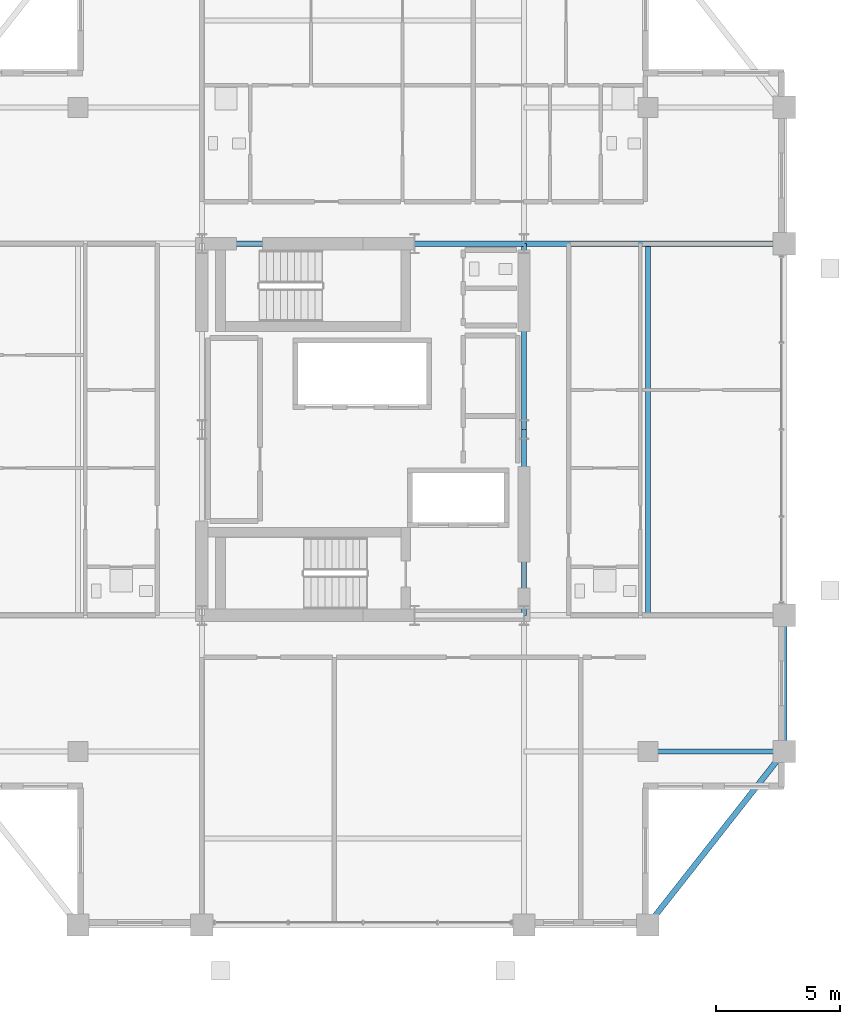
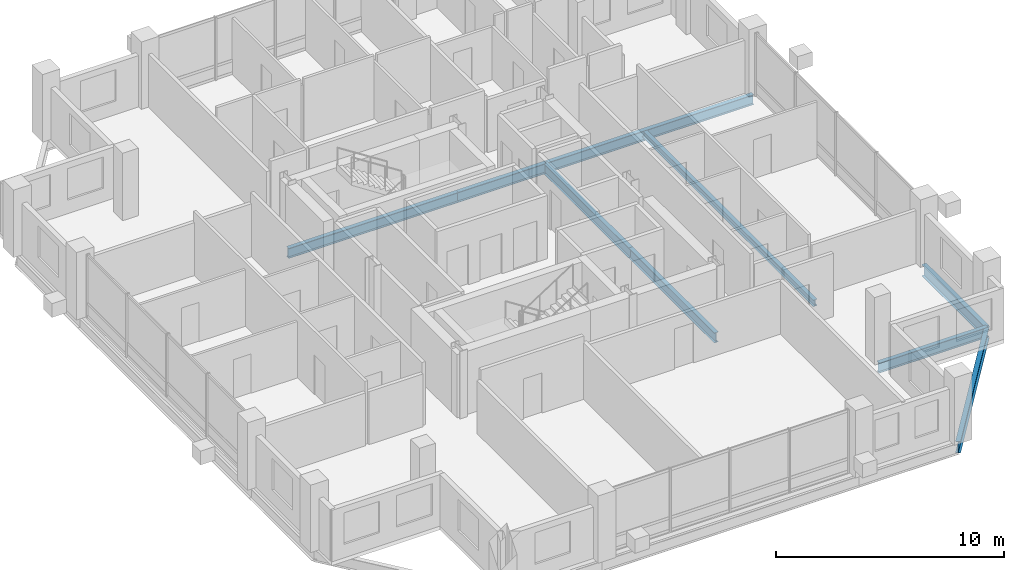
# One storey, part 9 of 21: 9 beams.
"""IFC4 building model written with IfcOpenShell, lengths in metres."""

from ifc_helpers import new_model, si_unit, direction, frame, origin, origin_2d, place, context, subcontext, project, spatial, i_section, extrude, material, material_profile, profile_set, type_object, element, save


model = new_model("IFC4")

# Units and contexts
model_context = context("Model", 3, precision=1e-05, world=origin(), true_north=direction((0.0, 1.0)))
body_context = subcontext(model_context, "Body", "Model", "MODEL_VIEW")
ifc_project = project(units=[si_unit("LENGTHUNIT", "METRE"), si_unit("AREAUNIT", "SQUARE_METRE"), si_unit("VOLUMEUNIT", "CUBIC_METRE"), si_unit("PLANEANGLEUNIT", "RADIAN"), si_unit("MASSUNIT", "GRAM", prefix="KILO")], contexts=[model_context])

# Site, building, storey
site_placement = place(None, origin())
site = spatial("IfcSite", under=ifc_project, at=site_placement, CompositionType="ELEMENT")
building_placement = place(site_placement, origin())
building = spatial("IfcBuilding", under=site, at=building_placement, Name="Barlavira Tower and Art Museum", CompositionType="ELEMENT")
storey_placement = place(building_placement, frame((0.0, 0.0, 254.699951171875)))
storey = spatial("IfcBuildingStorey", under=building, at=storey_placement, Name="L66", CompositionType="ELEMENT", Elevation=254.699951171875)

# Beams
ifc_material = material(Name="Steel S355", Category="steel")
ifc_material_profile_1 = material_profile(ifc_material, i_section(OverallWidth=0.22998046875, OverallDepth=0.616943359375, WebThickness=0.01318359375, FlangeThickness=0.022216796875, at=origin_2d()), Name="W610x140.0")
ifc_profile_set_1 = profile_set([ifc_material_profile_1], Name="Steel S355")
beam_type_1 = type_object("IfcBeamType", Name="Upper Shaft Spandrel Edge Beam W610x140 Steel S355", PredefinedType="SPANDREL", material=ifc_profile_set_1)
beam_1_placement = place(storey_placement, frame((11.5, -20.0, -0.528564453125), z_axis=(0.617821551932, 0.786318338822, 0.0), x_axis=(-0.786318338822, 0.617821551932, 0.0)))
element("IfcBeam", 1, at=beam_1_placement, inside=storey, type_object=beam_type_1, Name="L66 Spandrel 4", PredefinedType="SPANDREL", context=body_context, shape_type="SweptSolid", body=[
    extrude(i_section(OverallWidth=0.22998046875, OverallDepth=0.616943359375, WebThickness=0.01318359375, FlangeThickness=0.022216796875, at=origin_2d()), origin(), (0.0, 0.0, 1.0), 8.90234375),
])
beam_2_placement = place(storey_placement, frame((17.0, -13.0, -0.528564453125), z_axis=(0.0, 1.0, 0.0), x_axis=(-1.0, 0.0, 0.0)))
element("IfcBeam", 2, at=beam_2_placement, inside=storey, type_object=beam_type_1, Name="L66 Spandrel 5", PredefinedType="SPANDREL", context=body_context, shape_type="SweptSolid", body=[
    extrude(i_section(OverallWidth=0.22998046875, OverallDepth=0.616943359375, WebThickness=0.01318359375, FlangeThickness=0.022216796875, at=origin_2d()), origin(), (0.0, 0.0, 1.0), 5.5),
])
ifc_material_profile_2 = material_profile(ifc_material, i_section(OverallWidth=0.2109375, OverallDepth=0.5390625, WebThickness=0.01171875, FlangeThickness=0.018798828125, at=origin_2d()), Name="W530x109.0")
ifc_profile_set_2 = profile_set([ifc_material_profile_2], Name="Steel S355")
beam_type_2 = type_object("IfcBeamType", Name="Zone 3-4 Primary Floor Girder W530x109 Steel S355", PredefinedType="BEAM", material=ifc_profile_set_2)
beam_3_placement = place(storey_placement, frame((-6.5, 7.5, -0.489501953125), z_axis=(1.0, 0.0, 0.0), x_axis=(0.0, 1.0, 0.0)))
element("IfcBeam", 3, at=beam_3_placement, inside=storey, type_object=beam_type_2, Name="L66 Girder C-N1", PredefinedType="BEAM", context=body_context, shape_type="SweptSolid", body=[
    extrude(i_section(OverallWidth=0.2109375, OverallDepth=0.5390625, WebThickness=0.01171875, FlangeThickness=0.018798828125, at=origin_2d()), origin(), (0.0, 0.0, 1.0), 8.580078125),
])
beam_4_placement = place(storey_placement, frame((2.080078125, 7.5, -0.489501953125), z_axis=(1.0, 0.0, 0.0), x_axis=(0.0, 1.0, 0.0)))
element("IfcBeam", 4, at=beam_4_placement, inside=storey, type_object=beam_type_2, Name="L66 Girder C-N2", PredefinedType="BEAM", context=body_context, shape_type="SweptSolid", body=[
    extrude(i_section(OverallWidth=0.2109375, OverallDepth=0.5390625, WebThickness=0.01171875, FlangeThickness=0.018798828125, at=origin_2d()), origin(), (0.0, 0.0, 1.0), 4.419921875),
])
for number, where, z_axis, x_axis, name in (
    (5, (6.5, -7.5, -0.489501953125), (0.0, 1.0, 0.0), (-1.0, 0.0, 0.0), "L66 Girder C-E1"),
    (6, (6.5, 0.0, -0.489501953125), (0.0, 1.0, 0.0), (-1.0, 0.0, 0.0), "L66 Girder C-E2"),
):
    element("IfcBeam", number, at=place(storey_placement, frame(where, z_axis=z_axis, x_axis=x_axis)), inside=storey, type_object=beam_type_2, Name=name, PredefinedType="BEAM", context=body_context, shape_type="SweptSolid", body=[
        extrude(i_section(OverallWidth=0.2109375, OverallDepth=0.5390625, WebThickness=0.01171875, FlangeThickness=0.018798828125, at=origin_2d()), origin(), (0.0, 0.0, 1.0), 7.5),
    ])
beam_5_placement = place(storey_placement, frame((6.5, 7.5, -0.489501953125), z_axis=(1.0, 0.0, 0.0), x_axis=(0.0, 1.0, 0.0)))
element("IfcBeam", 7, at=beam_5_placement, inside=storey, type_object=beam_type_2, Name="L66 Girder R-E2", PredefinedType="BEAM", context=body_context, shape_type="SweptSolid", body=[
    extrude(i_section(OverallWidth=0.2109375, OverallDepth=0.5390625, WebThickness=0.01171875, FlangeThickness=0.018798828125, at=origin_2d()), origin(), (0.0, 0.0, 1.0), 10.5),
])
beam_6_placement = place(storey_placement, frame((11.5, -13.0, -0.489501953125), z_axis=(1.0, 0.0, 0.0), x_axis=(0.0, 1.0, 0.0)))
element("IfcBeam", 8, at=beam_6_placement, inside=storey, type_object=beam_type_2, Name="L66 Girder I-S4", PredefinedType="BEAM", context=body_context, shape_type="SweptSolid", body=[
    extrude(i_section(OverallWidth=0.2109375, OverallDepth=0.5390625, WebThickness=0.01171875, FlangeThickness=0.018798828125, at=origin_2d()), origin(), (0.0, 0.0, 1.0), 5.5),
])
ifc_material_profile_3 = material_profile(ifc_material, i_section(OverallWidth=0.202880859375, OverallDepth=0.346923828125, WebThickness=0.0078125, FlangeThickness=0.013427734375, at=origin_2d()), Name="W360x64.0")
ifc_profile_set_3 = profile_set([ifc_material_profile_3], Name="Steel S355")
beam_type_3 = type_object("IfcBeamType", Name="Zone 4 Composite Floor Joist W360x64 Steel S355", PredefinedType="JOIST", material=ifc_profile_set_3)
beam_7_placement = place(storey_placement, frame((11.5, -7.5, -0.3935546875), z_axis=(0.0, 1.0, 0.0), x_axis=(-1.0, 0.0, 0.0)))
element("IfcBeam", 9, at=beam_7_placement, inside=storey, type_object=beam_type_3, Name="L66 Joist W2", PredefinedType="JOIST", context=body_context, shape_type="SweptSolid", body=[
    extrude(i_section(OverallWidth=0.202880859375, OverallDepth=0.346923828125, WebThickness=0.0078125, FlangeThickness=0.013427734375, at=origin_2d()), origin(), (0.0, 0.0, 1.0), 15.0),
])

save(model, "model.ifc")
